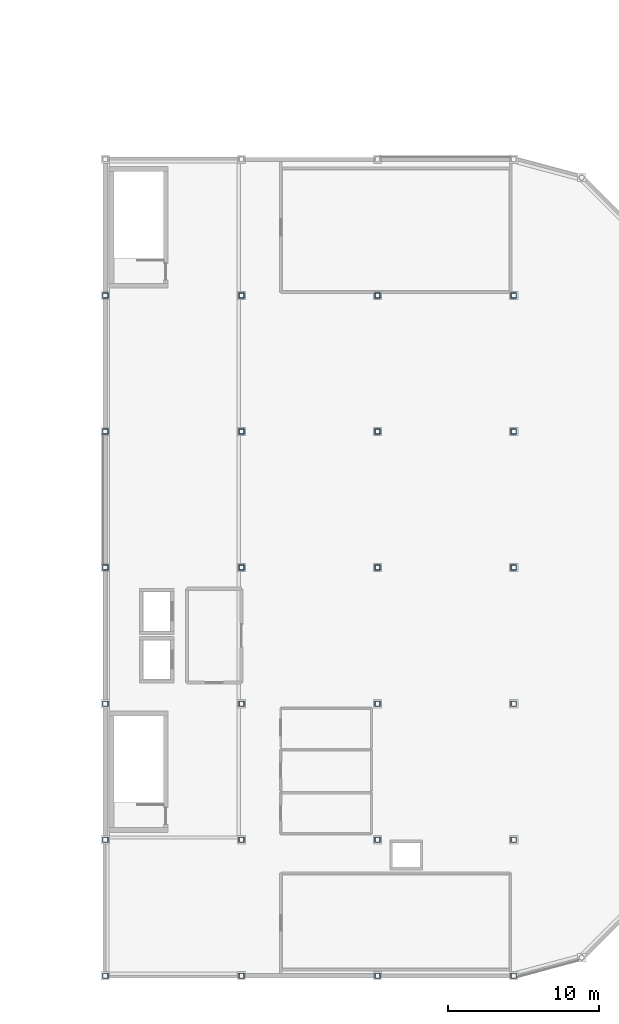
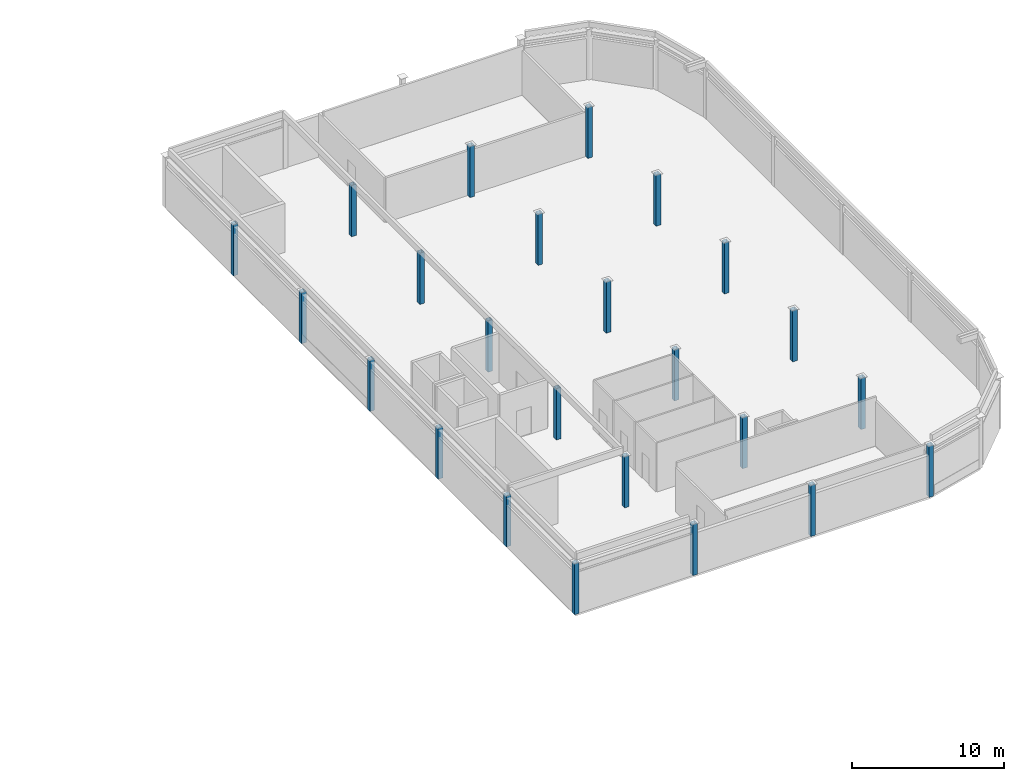
# One storey, part 2 of 14: 24 columns.
"""IFC4 building model written with IfcOpenShell, lengths in metres."""

from ifc_helpers import new_model, si_unit, direction, frame, origin, origin_2d, place, context, subcontext, project, spatial, hollow_rectangle, extrude, material, material_profile, profile_set, type_object, element, save


model = new_model("IFC4")

# Units and contexts
model_context = context("Model", 3, precision=1e-05, world=origin(), true_north=direction((0.0, 1.0)))
body_context = subcontext(model_context, "Body", "Model", "MODEL_VIEW")
ifc_project = project(units=[si_unit("LENGTHUNIT", "METRE"), si_unit("AREAUNIT", "SQUARE_METRE"), si_unit("VOLUMEUNIT", "CUBIC_METRE"), si_unit("PLANEANGLEUNIT", "RADIAN"), si_unit("MASSUNIT", "GRAM", prefix="KILO")], contexts=[model_context])

# Site, building, storey
site_placement = place(None, origin())
site = spatial("IfcSite", under=ifc_project, at=site_placement, CompositionType="ELEMENT")
building_placement = place(site_placement, origin())
building = spatial("IfcBuilding", under=site, at=building_placement, Name="Suzunagisa Mobility Hub", CompositionType="ELEMENT")
storey_placement = place(building_placement, frame((0.0, 0.0, 26.10009765625)))
storey = spatial("IfcBuildingStorey", under=building, at=storey_placement, Name="L06", CompositionType="ELEMENT", Elevation=26.10009765625)

# Columns
ifc_material = material(Name="Steel SN490B", Category="steel")
ifc_material_profile = material_profile(ifc_material, hollow_rectangle(XDim=0.35009765625, YDim=0.35009765625, WallThickness=0.01611328125, at=origin_2d()), Name="BCR-350x350x16")
ifc_profile_set = profile_set([ifc_material_profile], Name="Steel SN490B")
column_type = type_object("IfcColumnType", Name="Steel Column CL-04 BCR-350x350x16", PredefinedType="COLUMN", material=ifc_profile_set)
for number, where, z_axis, x_axis, name in (
    (1, (144.0, 44.0, 0.0), (0.0, 0.0, 1.0), (1.0, 0.0, 0.0), "L06 Column 256"),
    (2, (144.0, 53.0, 0.0), (0.0, 0.0, 1.0), (1.0, 0.0, 0.0), "L06 Column 257"),
    (3, (144.0, 62.0, 0.0), (0.0, 0.0, 1.0), (1.0, 0.0, 0.0), "L06 Column 258"),
    (4, (144.0, 71.0, 0.0), (0.0, 0.0, 1.0), (1.0, 0.0, 0.0), "L06 Column 259"),
    (5, (144.0, 80.0, 0.0), (0.0, 0.0, 1.0), (1.0, 0.0, 0.0), "L06 Column 260"),
    (6, (144.0, 89.0, 0.0), (0.0, 0.0, 1.0), (1.0, 0.0, 0.0), "L06 Column 261"),
    (7, (153.0, 44.0, 0.0), (0.0, 0.0, 1.0), (1.0, 0.0, 0.0), "L06 Column 269"),
    (8, (153.0, 53.0, 0.0), (0.0, 0.0, 1.0), (1.0, 0.0, 0.0), "L06 Column 270"),
    (9, (153.0, 62.0, 0.0), (0.0, 0.0, 1.0), (1.0, 0.0, 0.0), "L06 Column 271"),
    (10, (153.0, 71.0, 0.0), (0.0, 0.0, 1.0), (1.0, 0.0, 0.0), "L06 Column 272"),
    (11, (153.0, 80.0, 0.0), (0.0, 0.0, 1.0), (1.0, 0.0, 0.0), "L06 Column 273"),
    (12, (153.0, 89.0, 0.0), (0.0, 0.0, 1.0), (1.0, 0.0, 0.0), "L06 Column 274"),
    (13, (162.0, 44.0, 0.0), (0.0, 0.0, 1.0), (1.0, 0.0, 0.0), "L06 Column 288"),
    (14, (162.0, 53.0, 0.0), (0.0, 0.0, 1.0), (1.0, 0.0, 0.0), "L06 Column 289"),
    (15, (162.0, 62.0, 0.0), (0.0, 0.0, 1.0), (1.0, 0.0, 0.0), "L06 Column 290"),
    (16, (162.0, 71.0, 0.0), (0.0, 0.0, 1.0), (1.0, 0.0, 0.0), "L06 Column 291"),
    (17, (162.0, 80.0, 0.0), (0.0, 0.0, 1.0), (1.0, 0.0, 0.0), "L06 Column 292"),
    (18, (162.0, 89.0, 0.0), (0.0, 0.0, 1.0), (1.0, 0.0, 0.0), "L06 Column 293"),
    (19, (171.0, 44.0, 0.0), (0.0, 0.0, 1.0), (1.0, 0.0, 0.0), "L06 Column 301"),
    (20, (171.0, 53.0, 0.0), (0.0, 0.0, 1.0), (1.0, 0.0, 0.0), "L06 Column 302"),
    (21, (171.0, 62.0, 0.0), (0.0, 0.0, 1.0), (1.0, 0.0, 0.0), "L06 Column 303"),
    (22, (171.0, 71.0, 0.0), (0.0, 0.0, 1.0), (1.0, 0.0, 0.0), "L06 Column 304"),
    (23, (171.0, 80.0, 0.0), (0.0, 0.0, 1.0), (1.0, 0.0, 0.0), "L06 Column 305"),
    (24, (171.0, 89.0, 0.0), (0.0, 0.0, 1.0), (1.0, 0.0, 0.0), "L06 Column 306"),
):
    element("IfcColumn", number, at=place(storey_placement, frame(where, z_axis=z_axis, x_axis=x_axis)), inside=storey, type_object=column_type, Name=name, PredefinedType="COLUMN", context=body_context, shape_type="SweptSolid", body=[
        extrude(hollow_rectangle(XDim=0.35009765625, YDim=0.35009765625, WallThickness=0.01611328125, at=origin_2d()), origin(), (0.0, 0.0, 1.0), 4.139892578125),
    ])

save(model, "model.ifc")
